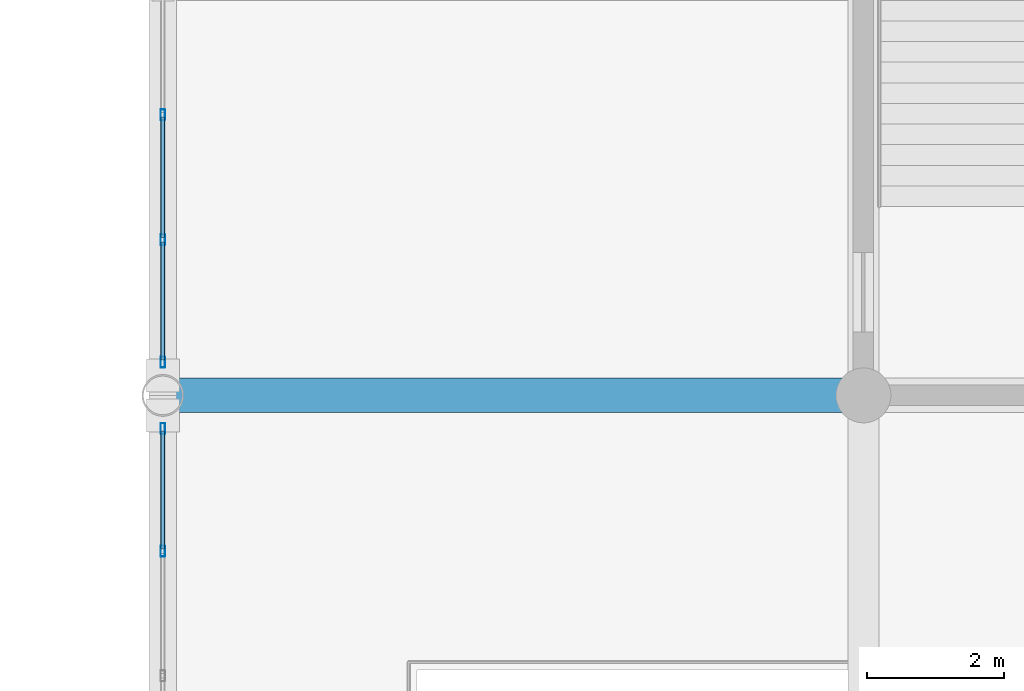
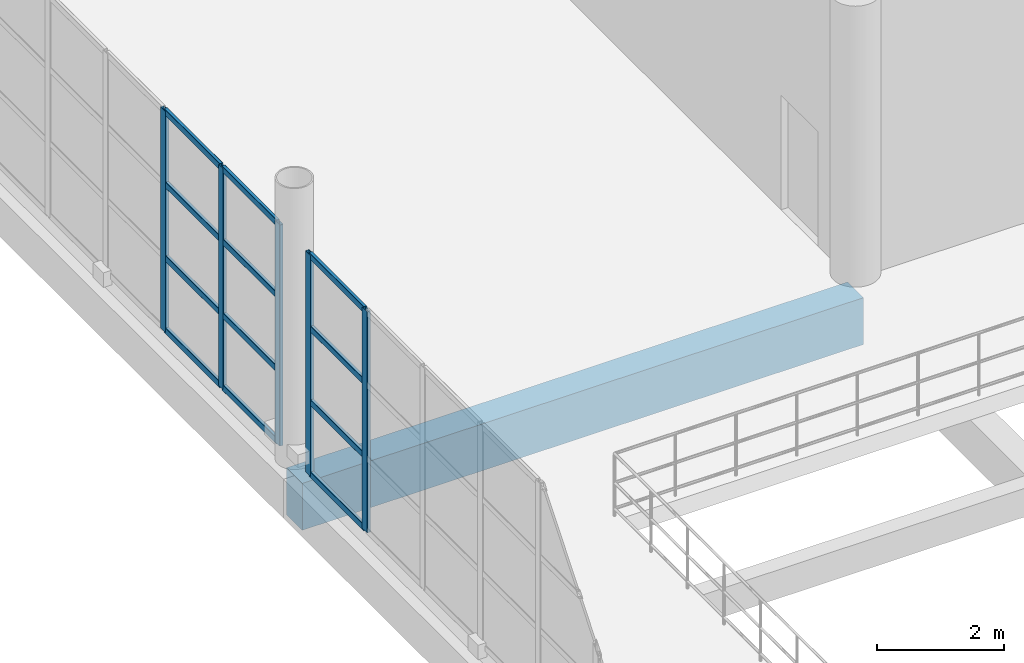
# One storey, part 68 of 175: 17 members, 1 beam, 2 elements without a shape of their own.
"""IFC4 building model written with IfcOpenShell, lengths in metres."""

from ifc_helpers import new_model, si_unit, direction, frame, origin, origin_2d, place, context, subcontext, project, spatial, rectangle, hollow_rectangle, extrude, material, material_profile, profile_set, type_object, element, aggregate, save


model = new_model("IFC4")

# Units and contexts
model_context = context("Model", 3, precision=1e-05, world=origin(), true_north=direction((0.0, 1.0)))
body_context = subcontext(model_context, "Body", "Model", "MODEL_VIEW")
ifc_project = project(units=[si_unit("LENGTHUNIT", "METRE"), si_unit("AREAUNIT", "SQUARE_METRE"), si_unit("VOLUMEUNIT", "CUBIC_METRE"), si_unit("PLANEANGLEUNIT", "RADIAN"), si_unit("MASSUNIT", "GRAM", prefix="KILO")], contexts=[model_context])

# Site, building, storey
site_placement = place(None, origin())
site = spatial("IfcSite", under=ifc_project, at=site_placement, CompositionType="ELEMENT")
building_placement = place(site_placement, origin())
building = spatial("IfcBuilding", under=site, at=building_placement, Name="Brelvane Convention Centre", CompositionType="ELEMENT")
storey_placement = place(building_placement, frame((0.0, 0.0, 5.39990234375)))
storey = spatial("IfcBuildingStorey", under=building, at=storey_placement, Name="L01", CompositionType="ELEMENT", Elevation=5.39990234375)

# Curtain wall, members
ifc_material_1 = material(Name="Anodised Aluminium Alloy 6063-T6", Category="aluminium")
curtain_wall_type = type_object("IfcCurtainWallType", Name="Curtain Wall CW-CONC", PredefinedType="USERDEFINED", material=ifc_material_1)
curtain_wall_1_placement = place(storey_placement, origin())
curtain_wall_1 = element("IfcCurtainWall", 1, at=curtain_wall_1_placement, inside=storey, type_object=curtain_wall_type, Name="Curtain Wall CW-CONC L01-GAL-ATRIUM-W-3", ObjectType="UNITISED", PredefinedType="USERDEFINED")
ifc_material_2 = material(Name="Anodised Aluminium Alloy 6063-T6", Category="aluminium")
ifc_material_profile_1 = material_profile(ifc_material_2, hollow_rectangle(XDim=0.06494140625, YDim=0.159912109375, WallThickness=0.00390625, InnerFilletRadius=0.00390625, OuterFilletRadius=0.008056640625, at=origin_2d()), Name="ALU-M 160x65x4.0")
ifc_profile_set_1 = profile_set([ifc_material_profile_1], Name="Anodised Aluminium Alloy 6063-T6")
member_type_1 = type_object("IfcMemberType", Name="Curtain Mullion CW-M3", PredefinedType="MULLION", material=ifc_profile_set_1)
member_1_placement = place(storey_placement, frame((142.800048828125, 73.7333984375, 0.0), z_axis=(0.0, 0.0, 1.0), x_axis=(-1.0, 0.0, 0.0)))
member_1 = element("IfcMember", 2, at=member_1_placement, type_object=member_type_1, Name="CW-CONC mullion 6", PredefinedType="MULLION", context=body_context, shape_type="SweptSolid", body=[
    extrude(hollow_rectangle(XDim=0.06494140625, YDim=0.159912109375, WallThickness=0.00390625, InnerFilletRadius=0.00390625, OuterFilletRadius=0.008056640625, at=origin_2d()), origin(), (0.0, 0.0, 1.0), 4.25),
])
member_2_placement = place(storey_placement, frame((142.800048828125, 75.517578125, 0.0), z_axis=(0.0, 0.0, 1.0), x_axis=(-1.0, 0.0, 0.0)))
member_2 = element("IfcMember", 3, at=member_2_placement, type_object=member_type_1, Name="CW-CONC mullion 7", PredefinedType="MULLION", context=body_context, shape_type="SweptSolid", body=[
    extrude(hollow_rectangle(XDim=0.06494140625, YDim=0.159912109375, WallThickness=0.00390625, InnerFilletRadius=0.00390625, OuterFilletRadius=0.008056640625, at=origin_2d()), origin(), (0.0, 0.0, 1.0), 4.25),
])

curtain_wall_2_placement = place(storey_placement, origin())
curtain_wall_2 = element("IfcCurtainWall", 4, at=curtain_wall_2_placement, inside=storey, type_object=curtain_wall_type, Name="Curtain Wall CW-CONC L01-GAL-ATRIUM-W-4", ObjectType="UNITISED", PredefinedType="USERDEFINED")
member_3_placement = place(storey_placement, frame((142.800048828125, 76.482421875, 0.0), z_axis=(0.0, 0.0, 1.0), x_axis=(-1.0, 0.0, 0.0)))
member_3 = element("IfcMember", 5, at=member_3_placement, type_object=member_type_1, Name="CW-CONC mullion 1", PredefinedType="MULLION", context=body_context, shape_type="SweptSolid", body=[
    extrude(hollow_rectangle(XDim=0.06494140625, YDim=0.159912109375, WallThickness=0.00390625, InnerFilletRadius=0.00390625, OuterFilletRadius=0.008056640625, at=origin_2d()), origin(), (0.0, 0.0, 1.0), 4.25),
])
member_4_placement = place(storey_placement, frame((142.800048828125, 78.2666015625, 0.0), z_axis=(0.0, 0.0, 1.0), x_axis=(-1.0, 0.0, 0.0)))
member_4 = element("IfcMember", 6, at=member_4_placement, type_object=member_type_1, Name="CW-CONC mullion 2", PredefinedType="MULLION", context=body_context, shape_type="SweptSolid", body=[
    extrude(hollow_rectangle(XDim=0.06494140625, YDim=0.159912109375, WallThickness=0.00390625, InnerFilletRadius=0.00390625, OuterFilletRadius=0.008056640625, at=origin_2d()), origin(), (0.0, 0.0, 1.0), 4.25),
])
member_5_placement = place(storey_placement, frame((142.800048828125, 80.083251953125, 0.0), z_axis=(0.0, 0.0, 1.0), x_axis=(-1.0, 0.0, 0.0)))
member_5 = element("IfcMember", 7, at=member_5_placement, type_object=member_type_1, Name="CW-CONC mullion 3", PredefinedType="MULLION", context=body_context, shape_type="SweptSolid", body=[
    extrude(hollow_rectangle(XDim=0.06494140625, YDim=0.159912109375, WallThickness=0.00390625, InnerFilletRadius=0.00390625, OuterFilletRadius=0.008056640625, at=origin_2d()), origin(), (0.0, 0.0, 1.0), 4.25),
])

# Member
ifc_material_3 = material(Name="Anodised Aluminium Alloy 6063-T6", Category="aluminium")
ifc_material_profile_2 = material_profile(ifc_material_3, hollow_rectangle(XDim=0.06005859375, YDim=0.1201171875, WallThickness=0.00390625, InnerFilletRadius=0.00390625, OuterFilletRadius=0.008056640625, at=origin_2d()), Name="ALU-T 120x60x4.0")
ifc_profile_set_2 = profile_set([ifc_material_profile_2], Name="Anodised Aluminium Alloy 6063-T6")
member_type_2 = type_object("IfcMemberType", Name="Curtain Transom CW-T3", PredefinedType="USERDEFINED", material=ifc_profile_set_2)
member_6_placement = place(storey_placement, frame((142.800048828125, 73.765869140625, 0.030029296875), z_axis=(0.0, 1.0, 0.0), x_axis=(-1.0, 0.0, 0.0)))
member_6 = element("IfcMember", 8, at=member_6_placement, type_object=member_type_2, Name="CW-CONC transom 6.1", ObjectType="TRANSOM", PredefinedType="USERDEFINED", context=body_context, shape_type="SweptSolid", body=[
    extrude(hollow_rectangle(XDim=0.06005859375, YDim=0.1201171875, WallThickness=0.00390625, InnerFilletRadius=0.00390625, OuterFilletRadius=0.008056640625, at=origin_2d()), origin(), (0.0, 0.0, 1.0), 1.71923828125),
])

member_7_placement = place(storey_placement, frame((142.800048828125, 73.765869140625, 1.416748046875), z_axis=(0.0, 1.0, 0.0), x_axis=(-1.0, 0.0, 0.0)))
member_7 = element("IfcMember", 9, at=member_7_placement, type_object=member_type_2, Name="CW-CONC transom 6.2", ObjectType="TRANSOM", PredefinedType="USERDEFINED", context=body_context, shape_type="SweptSolid", body=[
    extrude(hollow_rectangle(XDim=0.06005859375, YDim=0.1201171875, WallThickness=0.00390625, InnerFilletRadius=0.00390625, OuterFilletRadius=0.008056640625, at=origin_2d()), origin(), (0.0, 0.0, 1.0), 1.71923828125),
])

member_8_placement = place(storey_placement, frame((142.800048828125, 73.765869140625, 2.83349609375), z_axis=(0.0, 1.0, 0.0), x_axis=(-1.0, 0.0, 0.0)))
member_8 = element("IfcMember", 10, at=member_8_placement, type_object=member_type_2, Name="CW-CONC transom 6.3", ObjectType="TRANSOM", PredefinedType="USERDEFINED", context=body_context, shape_type="SweptSolid", body=[
    extrude(hollow_rectangle(XDim=0.06005859375, YDim=0.1201171875, WallThickness=0.00390625, InnerFilletRadius=0.00390625, OuterFilletRadius=0.008056640625, at=origin_2d()), origin(), (0.0, 0.0, 1.0), 1.71923828125),
])

member_9_placement = place(storey_placement, frame((142.800048828125, 73.765869140625, 4.22021484375), z_axis=(0.0, 1.0, 0.0), x_axis=(-1.0, 0.0, 0.0)))
member_9 = element("IfcMember", 11, at=member_9_placement, type_object=member_type_2, Name="CW-CONC transom 6.4", ObjectType="TRANSOM", PredefinedType="USERDEFINED", context=body_context, shape_type="SweptSolid", body=[
    extrude(hollow_rectangle(XDim=0.06005859375, YDim=0.1201171875, WallThickness=0.00390625, InnerFilletRadius=0.00390625, OuterFilletRadius=0.008056640625, at=origin_2d()), origin(), (0.0, 0.0, 1.0), 1.71923828125),
])

aggregate(curtain_wall_1, [member_1, member_2, member_6, member_7, member_8, member_9])

member_10_placement = place(storey_placement, frame((142.800048828125, 76.514892578125, 0.030029296875), z_axis=(0.0, 1.0, 0.0), x_axis=(-1.0, 0.0, 0.0)))
member_10 = element("IfcMember", 12, at=member_10_placement, type_object=member_type_2, Name="CW-CONC transom 1.1", ObjectType="TRANSOM", PredefinedType="USERDEFINED", context=body_context, shape_type="SweptSolid", body=[
    extrude(hollow_rectangle(XDim=0.06005859375, YDim=0.1201171875, WallThickness=0.00390625, InnerFilletRadius=0.00390625, OuterFilletRadius=0.008056640625, at=origin_2d()), origin(), (0.0, 0.0, 1.0), 1.71923828125),
])

member_11_placement = place(storey_placement, frame((142.800048828125, 76.514892578125, 1.416748046875), z_axis=(0.0, 1.0, 0.0), x_axis=(-1.0, 0.0, 0.0)))
member_11 = element("IfcMember", 13, at=member_11_placement, type_object=member_type_2, Name="CW-CONC transom 1.2", ObjectType="TRANSOM", PredefinedType="USERDEFINED", context=body_context, shape_type="SweptSolid", body=[
    extrude(hollow_rectangle(XDim=0.06005859375, YDim=0.1201171875, WallThickness=0.00390625, InnerFilletRadius=0.00390625, OuterFilletRadius=0.008056640625, at=origin_2d()), origin(), (0.0, 0.0, 1.0), 1.71923828125),
])

member_12_placement = place(storey_placement, frame((142.800048828125, 76.514892578125, 2.83349609375), z_axis=(0.0, 1.0, 0.0), x_axis=(-1.0, 0.0, 0.0)))
member_12 = element("IfcMember", 14, at=member_12_placement, type_object=member_type_2, Name="CW-CONC transom 1.3", ObjectType="TRANSOM", PredefinedType="USERDEFINED", context=body_context, shape_type="SweptSolid", body=[
    extrude(hollow_rectangle(XDim=0.06005859375, YDim=0.1201171875, WallThickness=0.00390625, InnerFilletRadius=0.00390625, OuterFilletRadius=0.008056640625, at=origin_2d()), origin(), (0.0, 0.0, 1.0), 1.71923828125),
])

member_13_placement = place(storey_placement, frame((142.800048828125, 76.514892578125, 4.22021484375), z_axis=(0.0, 1.0, 0.0), x_axis=(-1.0, 0.0, 0.0)))
member_13 = element("IfcMember", 15, at=member_13_placement, type_object=member_type_2, Name="CW-CONC transom 1.4", ObjectType="TRANSOM", PredefinedType="USERDEFINED", context=body_context, shape_type="SweptSolid", body=[
    extrude(hollow_rectangle(XDim=0.06005859375, YDim=0.1201171875, WallThickness=0.00390625, InnerFilletRadius=0.00390625, OuterFilletRadius=0.008056640625, at=origin_2d()), origin(), (0.0, 0.0, 1.0), 1.71923828125),
])

member_14_placement = place(storey_placement, frame((142.800048828125, 78.299072265625, 0.030029296875), z_axis=(0.0, 1.0, 0.0), x_axis=(-1.0, 0.0, 0.0)))
member_14 = element("IfcMember", 16, at=member_14_placement, type_object=member_type_2, Name="CW-CONC transom 2.1", ObjectType="TRANSOM", PredefinedType="USERDEFINED", context=body_context, shape_type="SweptSolid", body=[
    extrude(hollow_rectangle(XDim=0.06005859375, YDim=0.1201171875, WallThickness=0.00390625, InnerFilletRadius=0.00390625, OuterFilletRadius=0.008056640625, at=origin_2d()), origin(), (0.0, 0.0, 1.0), 1.751708984375),
])

member_15_placement = place(storey_placement, frame((142.800048828125, 78.299072265625, 1.416748046875), z_axis=(0.0, 1.0, 0.0), x_axis=(-1.0, 0.0, 0.0)))
member_15 = element("IfcMember", 17, at=member_15_placement, type_object=member_type_2, Name="CW-CONC transom 2.2", ObjectType="TRANSOM", PredefinedType="USERDEFINED", context=body_context, shape_type="SweptSolid", body=[
    extrude(hollow_rectangle(XDim=0.06005859375, YDim=0.1201171875, WallThickness=0.00390625, InnerFilletRadius=0.00390625, OuterFilletRadius=0.008056640625, at=origin_2d()), origin(), (0.0, 0.0, 1.0), 1.751708984375),
])

member_16_placement = place(storey_placement, frame((142.800048828125, 78.299072265625, 2.83349609375), z_axis=(0.0, 1.0, 0.0), x_axis=(-1.0, 0.0, 0.0)))
member_16 = element("IfcMember", 18, at=member_16_placement, type_object=member_type_2, Name="CW-CONC transom 2.3", ObjectType="TRANSOM", PredefinedType="USERDEFINED", context=body_context, shape_type="SweptSolid", body=[
    extrude(hollow_rectangle(XDim=0.06005859375, YDim=0.1201171875, WallThickness=0.00390625, InnerFilletRadius=0.00390625, OuterFilletRadius=0.008056640625, at=origin_2d()), origin(), (0.0, 0.0, 1.0), 1.751708984375),
])

member_17_placement = place(storey_placement, frame((142.800048828125, 78.299072265625, 4.22021484375), z_axis=(0.0, 1.0, 0.0), x_axis=(-1.0, 0.0, 0.0)))
member_17 = element("IfcMember", 19, at=member_17_placement, type_object=member_type_2, Name="CW-CONC transom 2.4", ObjectType="TRANSOM", PredefinedType="USERDEFINED", context=body_context, shape_type="SweptSolid", body=[
    extrude(hollow_rectangle(XDim=0.06005859375, YDim=0.1201171875, WallThickness=0.00390625, InnerFilletRadius=0.00390625, OuterFilletRadius=0.008056640625, at=origin_2d()), origin(), (0.0, 0.0, 1.0), 1.751708984375),
])

aggregate(curtain_wall_2, [member_3, member_4, member_5, member_10, member_11, member_12, member_13, member_14, member_15, member_16, member_17])

# Beam
ifc_material_4 = material(Name="Concrete M40", Category="concrete")
ifc_material_profile_3 = material_profile(ifc_material_4, rectangle(XDim=0.5, YDim=0.89990234375, at=origin_2d()), Name="RC 500x900")
ifc_profile_set_3 = profile_set([ifc_material_profile_3], Name="Concrete M40")
beam_type = type_object("IfcBeamType", Name="RC Beam B-RC4 (RC 500x900)", PredefinedType="BEAM", material=ifc_profile_set_3)
beam_placement = place(storey_placement, frame((142.800048828125, 76.0, -0.77978515625), z_axis=(1.0, 0.0, 0.0), x_axis=(0.0, 1.0, 0.0)))
element("IfcBeam", 20, at=beam_placement, inside=storey, type_object=beam_type, Name="L01 Beam 15-16/H", PredefinedType="BEAM", context=body_context, shape_type="SweptSolid", body=[
    extrude(rectangle(XDim=0.5, YDim=0.89990234375, at=origin_2d()), origin(), (0.0, 0.0, 1.0), 10.199951171875),
])

save(model, "model.ifc")
